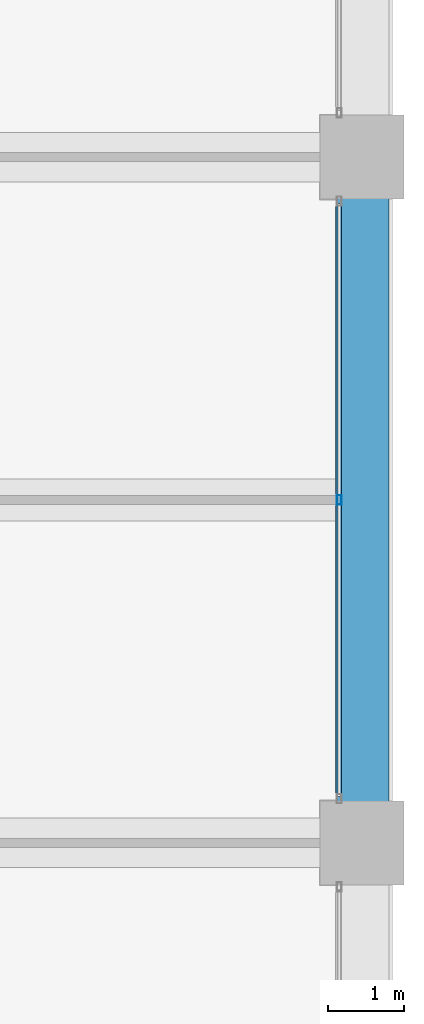
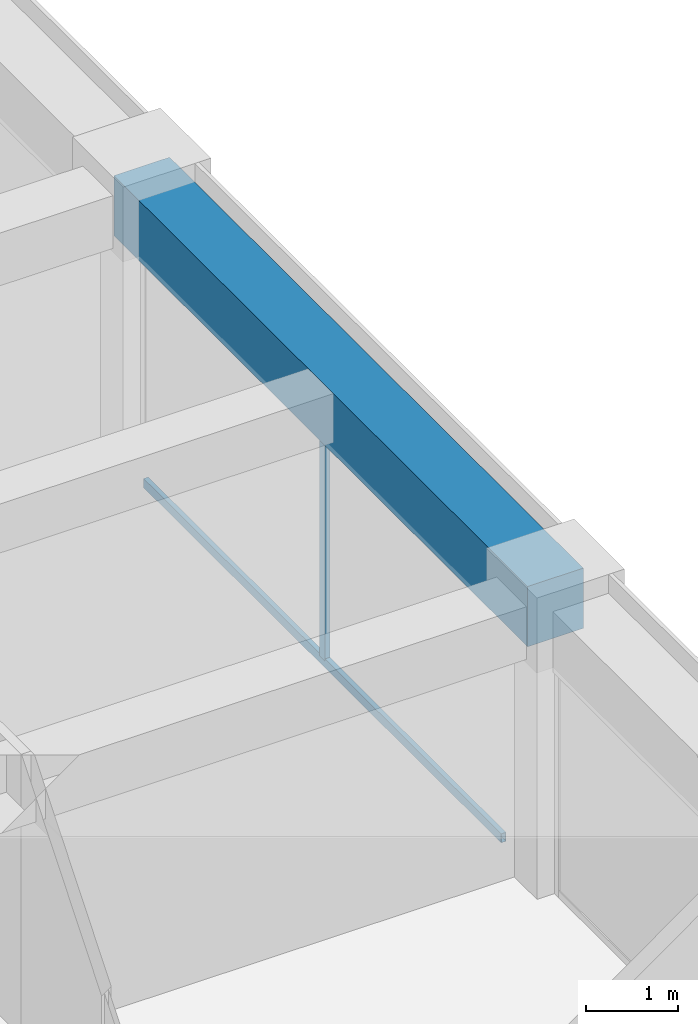
# One storey, part 25 of 45: 2 members, 1 beam, 1 element without a shape of its own.
"""IFC4 building model written with IfcOpenShell, lengths in metres."""

from ifc_helpers import new_model, si_unit, direction, frame, origin, origin_2d, place, context, subcontext, project, spatial, rectangle, hollow_rectangle, extrude, material, material_profile, profile_set, type_object, element, aggregate, save


model = new_model("IFC4")

# Units and contexts
model_context = context("Model", 3, precision=1e-05, world=origin(), true_north=direction((0.0, 1.0)))
body_context = subcontext(model_context, "Body", "Model", "MODEL_VIEW")
ifc_project = project(units=[si_unit("LENGTHUNIT", "METRE"), si_unit("AREAUNIT", "SQUARE_METRE"), si_unit("VOLUMEUNIT", "CUBIC_METRE"), si_unit("PLANEANGLEUNIT", "RADIAN"), si_unit("MASSUNIT", "GRAM", prefix="KILO")], contexts=[model_context])

# Site, building, storey
site_placement = place(None, origin())
site = spatial("IfcSite", under=ifc_project, at=site_placement, CompositionType="ELEMENT")
building_placement = place(site_placement, origin())
building = spatial("IfcBuilding", under=site, at=building_placement, Name="Zorevar Civic Tower", CompositionType="ELEMENT")
storey_placement = place(building_placement, frame((0.0, 0.0, 291.39990234375)))
storey = spatial("IfcBuildingStorey", under=building, at=storey_placement, Name="L71", CompositionType="ELEMENT", Elevation=291.39990234375)

# Curtain wall, members
ifc_material_1 = material(Name="Dark grey solar-control glass in black aluminium frame", Category="aluminium")
curtain_wall_type = type_object("IfcCurtainWallType", Name="Curtain wall CW5 top zone", PredefinedType="NOTDEFINED", material=ifc_material_1)
curtain_wall_placement = place(storey_placement, origin())
curtain_wall = element("IfcCurtainWall", 1, at=curtain_wall_placement, inside=storey, type_object=curtain_wall_type, Name="CW5 L71", PredefinedType="NOTDEFINED")
ifc_material_2 = material(Name="Aluminium, black anodised", Category="aluminium")
ifc_material_profile_1 = material_profile(ifc_material_2, hollow_rectangle(XDim=0.06005859375, YDim=0.1201171875, WallThickness=0.0029296875, at=origin_2d()), Name="AL 120x60x3")
ifc_profile_set_1 = profile_set([ifc_material_profile_1], Name="Aluminium, black anodised")
member_type_1 = type_object("IfcMemberType", Name="CW5 mullion AL 120x60x3", PredefinedType="MULLION", material=ifc_profile_set_1)
member_1_placement = place(storey_placement, frame((53.699951171875, 22.5, 0.06005859375), z_axis=(0.0, 0.0, 1.0), x_axis=(-1.0, 0.0, 0.0)))
member_1 = element("IfcMember", 2, at=member_1_placement, type_object=member_type_1, Name="CW5 mullion 2", PredefinedType="MULLION", context=body_context, shape_type="SweptSolid", body=[
    extrude(hollow_rectangle(XDim=0.06005859375, YDim=0.1201171875, WallThickness=0.0029296875, at=origin_2d()), origin(), (0.0, 0.0, 1.0), 2.89013671875),
])
ifc_material_3 = material(Name="Aluminium, black anodised", Category="aluminium")
ifc_material_profile_2 = material_profile(ifc_material_3, hollow_rectangle(XDim=0.06005859375, YDim=0.1201171875, WallThickness=0.0029296875, at=origin_2d()), Name="AL 120x60x3")
ifc_profile_set_2 = profile_set([ifc_material_profile_2], Name="Aluminium, black anodised")
member_type_2 = type_object("IfcMemberType", Name="CW5 transom AL 120x60x3", PredefinedType="USERDEFINED", material=ifc_profile_set_2)
member_2_placement = place(storey_placement, frame((53.699951171875, 18.610107421875, 0.030029296875), z_axis=(0.0, 1.0, 0.0), x_axis=(-1.0, 0.0, 0.0)))
member_2 = element("IfcMember", 3, at=member_2_placement, type_object=member_type_2, Name="CW5 sill transom", ObjectType="TRANSOM", PredefinedType="USERDEFINED", context=body_context, shape_type="SweptSolid", body=[
    extrude(hollow_rectangle(XDim=0.06005859375, YDim=0.1201171875, WallThickness=0.0029296875, at=origin_2d()), origin(), (0.0, 0.0, 1.0), 7.77978515625),
])
aggregate(curtain_wall, [member_1, member_2])

# Beam
ifc_material_4 = material(Name="Concrete C50/60", Category="concrete")
ifc_material_profile_3 = material_profile(ifc_material_4, rectangle(XDim=0.699951171875, YDim=0.800048828125, at=origin_2d()), Name="RC 700x800")
ifc_profile_set_3 = profile_set([ifc_material_profile_3], Name="Concrete C50/60")
beam_type = type_object("IfcBeamType", Name="Edge beam RC 700x800", PredefinedType="SPANDREL", material=ifc_profile_set_3)
beam_placement = place(storey_placement, frame((54.0, 18.0, 3.35009765625), z_axis=(0.0, 1.0, 0.0), x_axis=(-1.0, 0.0, 0.0)))
element("IfcBeam", 4, at=beam_placement, inside=storey, type_object=beam_type, Name="Edge beam L72", PredefinedType="SPANDREL", context=body_context, shape_type="SweptSolid", body=[
    extrude(rectangle(XDim=0.699951171875, YDim=0.800048828125, at=origin_2d()), origin(), (0.0, 0.0, 1.0), 9.0),
])

save(model, "model.ifc")
